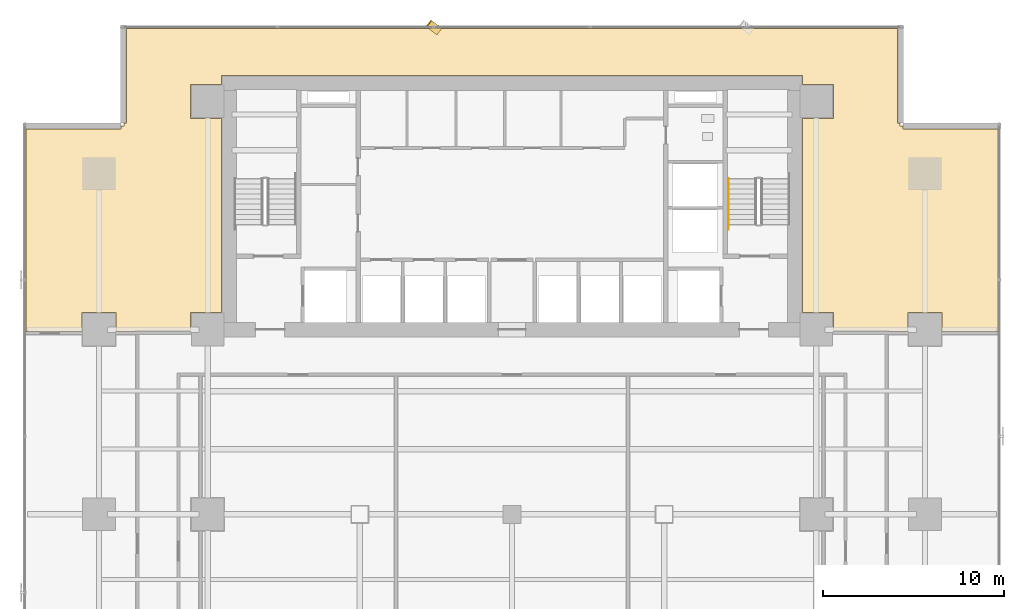
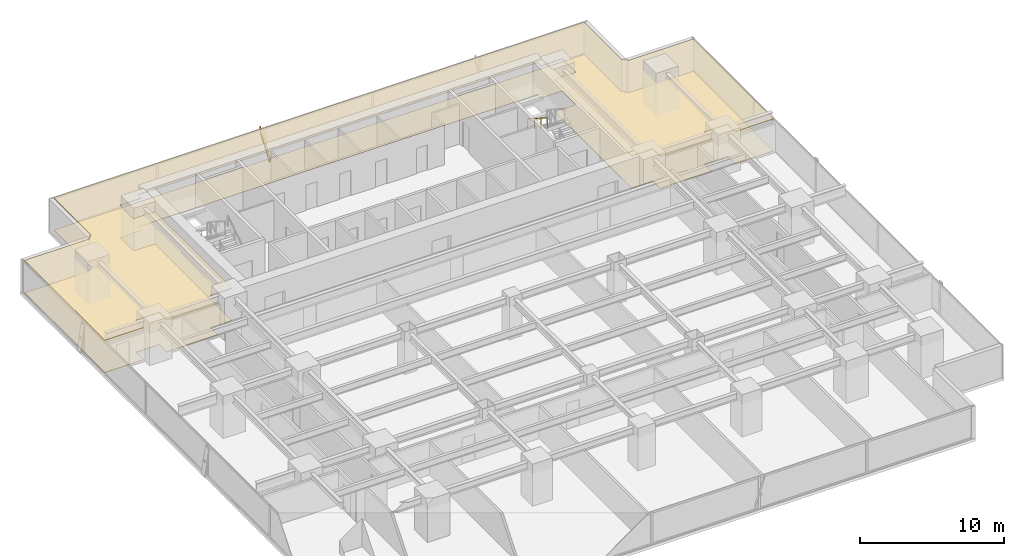
# One storey, part 31 of 33: 2 coverings, 1 railing, 1 shading device.
"""IFC4 building model written with IfcOpenShell, lengths in metres."""

import ifcopenshell
import ifcopenshell.guid

model = None  # the IFC model being written
_history = None  # IfcOwnerHistory: only IFC2X3 demands one
_inside = {}  # id of a spatial element -> (the spatial element, [elements in it])
_under = {}  # id of a project, library or spatial element -> (it, [spatial elements below it])
_declared = {}  # id of a project -> (the project, [libraries it declares])
_typed = {}  # id of a type object -> (the type object, [elements of that type])
_made_of = {}  # id of a material, layer set ... -> (it, [elements and type objects made of it])


def new_model(schema):
    """Start an empty IFC model of exactly this schema.

    Asked for "IFC4X3", IfcOpenShell would pick the latest addendum, in which some entities
    have other attributes; the version numbers below select the first issue.
    IFC2X3 requires an IfcOwnerHistory on every rooted entity: one is made here for all.
    """
    global model, _history
    if schema == "IFC4X3":
        model = ifcopenshell.file(schema_version=(4, 3, 0, 0))
    else:
        model = ifcopenshell.file(schema=schema)
    _inside.clear()
    _under.clear()
    _declared.clear()
    _typed.clear()
    _made_of.clear()
    _history = None
    if model.schema == "IFC2X3":
        org = make("IfcOrganization", Name="unknown")
        user = make(
            "IfcPersonAndOrganization",
            ThePerson=make("IfcPerson", FamilyName="unknown"),
            TheOrganization=org,
        )
        app = make(
            "IfcApplication",
            ApplicationDeveloper=org,
            Version="unknown",
            ApplicationFullName="unknown",
            ApplicationIdentifier="unknown",
        )
        _history = make(
            "IfcOwnerHistory",
            OwningUser=user,
            OwningApplication=app,
            ChangeAction="ADDED",
            CreationDate=0,
        )
    return model


def make(cls, **values):
    """One entity of the class cls with the attributes given. An attribute that is None is left unset."""
    return model.create_entity(
        cls, **{name: value for name, value in values.items() if value is not None}
    )


def rooted(cls, **values):
    """An entity with a GlobalId (a new one), such as an element, a storey or a relation."""
    return make(cls, GlobalId=ifcopenshell.guid.new(), OwnerHistory=_history, **values)


def si_unit(unit_type, name, prefix=None):
    """IfcSIUnit, for example si_unit("LENGTHUNIT", "METRE", prefix="MILLI")."""
    return make("IfcSIUnit", UnitType=unit_type, Prefix=prefix, Name=name)


def assignment(units):
    """IfcUnitAssignment: the units of a project."""
    return None if units is None else make("IfcUnitAssignment", Units=units)


def point(xyz):
    """IfcCartesianPoint."""
    return None if xyz is None else make("IfcCartesianPoint", Coordinates=xyz)


def direction(xyz):
    """IfcDirection."""
    return None if xyz is None else make("IfcDirection", DirectionRatios=xyz)


def frame(location, z_axis=None, x_axis=None):
    """IfcAxis2Placement3D, a coordinate frame: its origin and axes. An axis left out is left unset."""
    return make(
        "IfcAxis2Placement3D",
        Location=point(location),
        Axis=direction(z_axis),
        RefDirection=direction(x_axis),
    )


def frame_2d(location, x_axis=None):
    """IfcAxis2Placement2D, a coordinate frame in the plane: its origin and x axis."""
    return make(
        "IfcAxis2Placement2D", Location=point(location), RefDirection=direction(x_axis)
    )


def origin():
    """The frame at (0, 0, 0) with its axes left unset."""
    return frame((0.0, 0.0, 0.0))


def origin_2d():
    """The frame at (0, 0) in the plane with its x axis left unset."""
    return frame_2d((0.0, 0.0))


def place(relative_to, where):
    """IfcLocalPlacement: puts the frame where relative to a parent placement (None: the world)."""
    return make(
        "IfcLocalPlacement", PlacementRelTo=relative_to, RelativePlacement=where
    )


def context(
    kind, dimensions, precision=None, world=None, true_north=None, identifier=None
):
    """IfcGeometricRepresentationContext, for example the 3D "Model" context."""
    return make(
        "IfcGeometricRepresentationContext",
        ContextIdentifier=identifier,
        ContextType=kind,
        CoordinateSpaceDimension=dimensions,
        Precision=precision,
        WorldCoordinateSystem=world,
        TrueNorth=true_north,
    )


def subcontext(parent, identifier, kind, view, scale=None):
    """IfcGeometricRepresentationSubContext, for example "Body" below "Model"."""
    return make(
        "IfcGeometricRepresentationSubContext",
        ContextIdentifier=identifier,
        ContextType=kind,
        ParentContext=parent,
        TargetScale=scale,
        TargetView=view,
    )


def project(units=None, contexts=None):
    """IfcProject with its units and contexts."""
    return rooted(
        "IfcProject",
        Name="project",
        RepresentationContexts=contexts,
        UnitsInContext=assignment(units),
    )


def spatial(cls, under=None, at=None, **own):
    """A site, building, storey or space (cls), placed at a placement, below another one or the project."""
    s = rooted(cls, ObjectPlacement=at, **own)
    if under is not None:
        _under.setdefault(under.id(), (under, []))[1].append(s)
    return s


def polyline(points):
    """IfcPolyline through the points."""
    return make("IfcPolyline", Points=[point(p) for p in points])


def profile(cls, at=None, kind="AREA", **sizes):
    """A parametric profile (cls). Its sizes go by their IFC names, for example OverallWidth=200.0."""
    return make(cls, ProfileType=kind, Position=at, **sizes)


def rectangle(**sizes):
    """IfcRectangleProfileDef."""
    return profile("IfcRectangleProfileDef", **sizes)


def outline(outer, holes=None, kind="AREA"):
    """IfcArbitraryClosedProfileDef: a profile drawn as a closed curve; with holes, ...WithVoids."""
    if holes is None:
        return make("IfcArbitraryClosedProfileDef", ProfileType=kind, OuterCurve=outer)
    return make(
        "IfcArbitraryProfileDefWithVoids",
        ProfileType=kind,
        OuterCurve=outer,
        InnerCurves=holes,
    )


def extrude(swept, where, along, depth):
    """IfcExtrudedAreaSolid: the profile swept, set in the frame where, extruded along a direction by depth."""
    return make(
        "IfcExtrudedAreaSolid",
        SweptArea=swept,
        Position=where,
        ExtrudedDirection=direction(along),
        Depth=depth,
    )


def shape(context_of_items, identifier, shape_type, items):
    """IfcShapeRepresentation: the items that make up one representation, for example the "Body"."""
    return make(
        "IfcShapeRepresentation",
        ContextOfItems=context_of_items,
        RepresentationIdentifier=identifier,
        RepresentationType=shape_type,
        Items=items,
    )


def source(mapping_origin, context_of_items, identifier, shape_type, items):
    """IfcRepresentationMap: a shape defined once, which mapped items show again and again."""
    return make(
        "IfcRepresentationMap",
        MappingOrigin=mapping_origin,
        MappedRepresentation=shape(context_of_items, identifier, shape_type, items),
    )


def transform(
    local_origin,
    x_axis=None,
    y_axis=None,
    z_axis=None,
    scale=None,
    scale2=None,
    scale3=None,
    uniform=True,
):
    """IfcCartesianTransformationOperator3D, or its non-uniform kind. x_axis, y_axis, z_axis: its Axis1, 2, 3."""
    if uniform:
        return make(
            "IfcCartesianTransformationOperator3D",
            Axis1=direction(x_axis),
            Axis2=direction(y_axis),
            LocalOrigin=point(local_origin),
            Scale=scale,
            Axis3=direction(z_axis),
        )
    return make(
        "IfcCartesianTransformationOperator3DnonUniform",
        Axis1=direction(x_axis),
        Axis2=direction(y_axis),
        LocalOrigin=point(local_origin),
        Scale=scale,
        Axis3=direction(z_axis),
        Scale2=scale2,
        Scale3=scale3,
    )


def mapped(mapping_source, mapping_target):
    """IfcMappedItem: shows the shape of a source again, moved by a transform."""
    return make(
        "IfcMappedItem", MappingSource=mapping_source, MappingTarget=mapping_target
    )


def material(Name=None, Category=None):
    """IfcMaterial."""
    return make("IfcMaterial", Name=Name, Category=Category)


def layer(
    of_material, thickness, ventilated=None, Name=None, Category=None, Priority=None
):
    """IfcMaterialLayer: one layer of a wall or slab, of a material (None: an air gap)."""
    return make(
        "IfcMaterialLayer",
        Material=of_material,
        LayerThickness=thickness,
        IsVentilated=ventilated,
        Name=Name,
        Category=Category,
        Priority=Priority,
    )


def layer_set(layers, Name=None):
    """IfcMaterialLayerSet."""
    return make("IfcMaterialLayerSet", MaterialLayers=layers, LayerSetName=Name)


def material_profile(
    of_material, cross_section, Name=None, Category=None, Priority=None
):
    """IfcMaterialProfile: a cross section and its material."""
    return make(
        "IfcMaterialProfile",
        Name=Name,
        Material=of_material,
        Profile=cross_section,
        Priority=Priority,
        Category=Category,
    )


def profile_set(profiles, Name=None, composite=None):
    """IfcMaterialProfileSet."""
    return make(
        "IfcMaterialProfileSet",
        Name=Name,
        MaterialProfiles=profiles,
        CompositeProfile=composite,
    )


def made_of(thing, what):
    """Note that an element or type object is made of a material, layer set ...; save() writes the relation."""
    if what is not None:
        _made_of.setdefault(what.id(), (what, []))[1].append(thing)
    return thing


def type_object(cls, material=None, **own):
    """A type object (cls), such as IfcWallType, which elements share."""
    return made_of(rooted(cls, **own), material)


def element(
    cls,
    number,
    at=None,
    inside=None,
    cuts=None,
    type_object=None,
    material=None,
    context=None,
    identifier="Body",
    shape_type=None,
    held_by="IfcProductDefinitionShape",
    body=None,
    shapes=None,
    **own,
):
    """One element of the class cls, such as IfcWall. Its Tag is "e" and its number.

    at: its placement. inside: the storey or other place that contains it. cuts: it is an
    opening in that element (IfcRelVoidsElement). A single representation is given by context,
    identifier, shape_type and body (its items); several are given by shapes. held_by: the class
    of the entity that holds the representations. save() writes the other relations.
    """
    e = rooted(cls, Tag="e%d" % number, ObjectPlacement=at, **own)
    if body is not None:
        shapes = [shape(context, identifier, shape_type, body)]
    if shapes is not None:
        e.Representation = make(held_by, Representations=shapes)
    if inside is not None:
        _inside.setdefault(inside.id(), (inside, []))[1].append(e)
    if cuts is not None:
        rooted(
            "IfcRelVoidsElement", RelatingBuildingElement=cuts, RelatedOpeningElement=e
        )
    if type_object is not None:
        _typed.setdefault(type_object.id(), (type_object, []))[1].append(e)
    return made_of(e, material)


def aggregate(whole, parts):
    """IfcRelAggregates: a whole, such as a stair, and the parts it consists of."""
    return rooted("IfcRelAggregates", RelatingObject=whole, RelatedObjects=parts)


def save(model, path):
    """Write the relations noted so far, then the file.

    IfcRelAggregates (storeys below a building ...), IfcRelContainedInSpatialStructure (elements
    in a storey), IfcRelDefinesByType, IfcRelAssociatesMaterial and IfcRelDeclares: one each for
    every whole, place, type object, material and project.
    """
    for whole, parts in _under.values():
        aggregate(whole, parts)
    for where, things in _inside.values():
        rooted(
            "IfcRelContainedInSpatialStructure",
            RelatedElements=things,
            RelatingStructure=where,
        )
    for kind, things in _typed.values():
        rooted("IfcRelDefinesByType", RelatedObjects=things, RelatingType=kind)
    for what, things in _made_of.values():
        rooted("IfcRelAssociatesMaterial", RelatedObjects=things, RelatingMaterial=what)
    for by, libraries in _declared.values():
        rooted("IfcRelDeclares", RelatingContext=by, RelatedDefinitions=libraries)
    model.write(path)


model = new_model("IFC4")

# Units and contexts
model_context = context("Model", 3, precision=1e-05, world=origin(), true_north=direction((0.0, 1.0)))
body_context = subcontext(model_context, "Body", "Model", "MODEL_VIEW")
ifc_project = project(units=[si_unit("LENGTHUNIT", "METRE"), si_unit("AREAUNIT", "SQUARE_METRE"), si_unit("VOLUMEUNIT", "CUBIC_METRE"), si_unit("PLANEANGLEUNIT", "RADIAN"), si_unit("MASSUNIT", "GRAM", prefix="KILO")], contexts=[model_context])

# Site, building, storey
site_placement = place(None, origin())
site = spatial("IfcSite", under=ifc_project, at=site_placement, CompositionType="ELEMENT")
building_placement = place(site_placement, origin())
building = spatial("IfcBuilding", under=site, at=building_placement, Name="Sumidabori Civic Tower", CompositionType="ELEMENT")
storey_placement = place(building_placement, frame((0.0, 0.0, 59.60009765625)))
storey = spatial("IfcBuildingStorey", under=building, at=storey_placement, Name="L15", CompositionType="ELEMENT", Elevation=59.60009765625)

# Coverings
ifc_material_1 = material(Name="Gypsum Coffered Acoustic Ceiling")
ifc_layer_1 = layer(ifc_material_1, 0.06494140625, Name="Gypsum Coffered Acoustic Ceiling")
ifc_layer_set_1 = layer_set([ifc_layer_1], Name="Gypsum Coffered Acoustic Ceiling")
covering_type_1 = type_object("IfcCoveringType", Name="CV-CEIL-AC4", PredefinedType="CEILING", material=ifc_layer_set_1)
covering_1_placement = place(storey_placement, frame((0.0, 0.0, 2.7099609375)))
element("IfcCovering", 1, at=covering_1_placement, inside=storey, type_object=covering_type_1, Name="Room Acoustic Ceiling L15-01", PredefinedType="CEILING", context=body_context, shape_type="SweptSolid", body=[
    extrude(outline(polyline([(-26.830078125, 10.1025390625), (-26.830078125, 21.27197265625), (-21.592041015625, 21.27197265625), (-21.592041015625, 21.429931640625), (-21.429931640625, 21.429931640625), (-21.429931640625, 21.592041015625), (-21.27197265625, 21.592041015625), (-21.27197265625, 26.830078125), (21.27197265625, 26.830078125), (21.27197265625, 21.592041015625), (21.429931640625, 21.592041015625), (21.429931640625, 21.429931640625), (21.592041015625, 21.429931640625), (21.592041015625, 21.27197265625), (26.830078125, 21.27197265625), (26.830078125, 10.1025390625), (23.739990234375, 10.1025390625), (23.739990234375, 11.139892578125), (21.860107421875, 11.139892578125), (21.860107421875, 10.1025390625), (20.784912109375, 10.1025390625), (20.784912109375, 10.135009765625), (17.739990234375, 10.135009765625), (17.739990234375, 11.139892578125), (16.028076171875, 11.139892578125), (16.028076171875, 21.860107421875), (17.739990234375, 21.860107421875), (17.739990234375, 23.739990234375), (16.028076171875, 23.739990234375), (16.028076171875, 24.22802734375), (-16.028076171875, 24.22802734375), (-16.028076171875, 23.739990234375), (-17.739990234375, 23.739990234375), (-17.739990234375, 21.860107421875), (-16.028076171875, 21.860107421875), (-16.028076171875, 11.139892578125), (-17.739990234375, 11.139892578125), (-17.739990234375, 10.135009765625), (-20.784912109375, 10.135009765625), (-20.784912109375, 10.1025390625), (-21.860107421875, 10.1025390625), (-21.860107421875, 11.139892578125), (-23.739990234375, 11.139892578125), (-23.739990234375, 10.1025390625), (-26.830078125, 10.1025390625)])), origin(), (0.0, 0.0, 1.0), 0.06494140625),
])
ifc_material_2 = material(Name="Honed Terrazzo Tile Flooring")
ifc_layer_2 = layer(ifc_material_2, 0.030029296875, Name="Honed Terrazzo Tile Flooring")
ifc_layer_set_2 = layer_set([ifc_layer_2], Name="Honed Terrazzo Tile Flooring")
covering_type_2 = type_object("IfcCoveringType", Name="CV-FLR-TER", PredefinedType="FLOORING", material=ifc_layer_set_2)
covering_2_placement = place(storey_placement, origin())
element("IfcCovering", 2, at=covering_2_placement, inside=storey, type_object=covering_type_2, Name="Room Terrazzo Floor L15-01", PredefinedType="FLOORING", context=body_context, shape_type="SweptSolid", body=[
    extrude(outline(polyline([(-26.830078125, 10.1025390625), (-26.830078125, 21.27197265625), (-21.592041015625, 21.27197265625), (-21.592041015625, 21.429931640625), (-21.429931640625, 21.429931640625), (-21.429931640625, 21.592041015625), (-21.27197265625, 21.592041015625), (-21.27197265625, 26.830078125), (21.27197265625, 26.830078125), (21.27197265625, 21.592041015625), (21.429931640625, 21.592041015625), (21.429931640625, 21.429931640625), (21.592041015625, 21.429931640625), (21.592041015625, 21.27197265625), (26.830078125, 21.27197265625), (26.830078125, 10.1025390625), (23.739990234375, 10.1025390625), (23.739990234375, 11.139892578125), (21.860107421875, 11.139892578125), (21.860107421875, 10.1025390625), (20.784912109375, 10.1025390625), (20.784912109375, 10.135009765625), (17.739990234375, 10.135009765625), (17.739990234375, 11.139892578125), (16.028076171875, 11.139892578125), (16.028076171875, 21.860107421875), (17.739990234375, 21.860107421875), (17.739990234375, 23.739990234375), (16.028076171875, 23.739990234375), (16.028076171875, 24.22802734375), (-16.028076171875, 24.22802734375), (-16.028076171875, 23.739990234375), (-17.739990234375, 23.739990234375), (-17.739990234375, 21.860107421875), (-16.028076171875, 21.860107421875), (-16.028076171875, 11.139892578125), (-17.739990234375, 11.139892578125), (-17.739990234375, 10.135009765625), (-20.784912109375, 10.135009765625), (-20.784912109375, 10.1025390625), (-21.860107421875, 10.1025390625), (-21.860107421875, 11.139892578125), (-23.739990234375, 11.139892578125), (-23.739990234375, 10.1025390625), (-26.830078125, 10.1025390625)])), origin(), (0.0, 0.0, 1.0), 0.02978515625),
])

# Railing
ifc_material_3 = material(Name="Stainless Steel Hairline Finish", Category="steel")
railing_type = type_object("IfcRailingType", Name="RL-HANDRAIL", PredefinedType="HANDRAIL", material=ifc_material_3)
railing_placement = place(storey_placement, frame((11.949951171875, 18.52001953125, 1.97998046875)))
element("IfcRailing", 3, at=railing_placement, inside=storey, type_object=railing_type, Name="L15 ST-2 stair handrail 2", PredefinedType="HANDRAIL", context=body_context, shape_type="SweptSolid", body=[
    extrude(rectangle(XDim=0.048095703125, YDim=0.048095703125, at=origin_2d()), frame((0.0, 0.0, 0.8759765625), z_axis=(0.0, -0.840675598268, 0.541539046124), x_axis=(1.0, 0.0, 0.0)), (0.0, 0.0, 1.0), 3.330810546875),
    extrude(rectangle(XDim=0.0419921875, YDim=0.0419921875, at=origin_2d()), origin(), (0.0, 0.0, 1.0), 0.851806640625),
    extrude(rectangle(XDim=0.0419921875, YDim=0.0419921875, at=origin_2d()), frame((0.0, -0.933349609375, 0.601318359375)), (0.0, 0.0, 1.0), 0.851806640625),
    extrude(rectangle(XDim=0.0419921875, YDim=0.0419921875, at=origin_2d()), frame((0.0, -1.86669921875, 1.202392578125)), (0.0, 0.0, 1.0), 0.851806640625),
    extrude(rectangle(XDim=0.0419921875, YDim=0.0419921875, at=origin_2d()), frame((0.0, -2.800048828125, 1.8037109375)), (0.0, 0.0, 1.0), 0.851806640625),
])

# Shading device
ifc_material_4 = material(Name="Anodised Bronze Aluminium AW-6063-T6", Category="aluminium")
ifc_material_profile = material_profile(ifc_material_4, rectangle(XDim=0.06005859375, YDim=0.449951171875, at=origin_2d()), Name="BRONZE FIN 450x60")
ifc_profile_set = profile_set([ifc_material_profile], Name="Anodised Bronze Aluminium AW-6063-T6")
shading_device_type = type_object("IfcShadingDeviceType", Name="SH-FIN-450", PredefinedType="USERDEFINED", material=ifc_profile_set)
shared_shape = source(origin(), body_context, "Body", "SweptSolid", [
    extrude(rectangle(XDim=0.06005859375, YDim=0.449951171875, at=origin_2d()), origin(), (0.0, 0.0, 1.0), 2.769775390625),
])
shading_device_placement = place(storey_placement, frame((-4.033935546875, 26.669921875, 0.02001953125), z_axis=(-0.202195931323, 0.151691019096, 0.967526041035), x_axis=(0.773939855131, -0.580623579198, 0.252771358975)))
element("IfcShadingDevice", 4, at=shading_device_placement, inside=storey, type_object=shading_device_type, Name="Bronze Anodised Diagonal Fin L15-03", ObjectType="FIN", PredefinedType="USERDEFINED", context=body_context, shape_type="MappedRepresentation", body=[
    mapped(shared_shape, transform((0.0, 0.0, 0.0), x_axis=(1.0, 0.0, 0.0), y_axis=(0.0, 1.0, 0.0), z_axis=(0.0, 0.0, 1.0), scale=1.0)),
])

save(model, "model.ifc")
